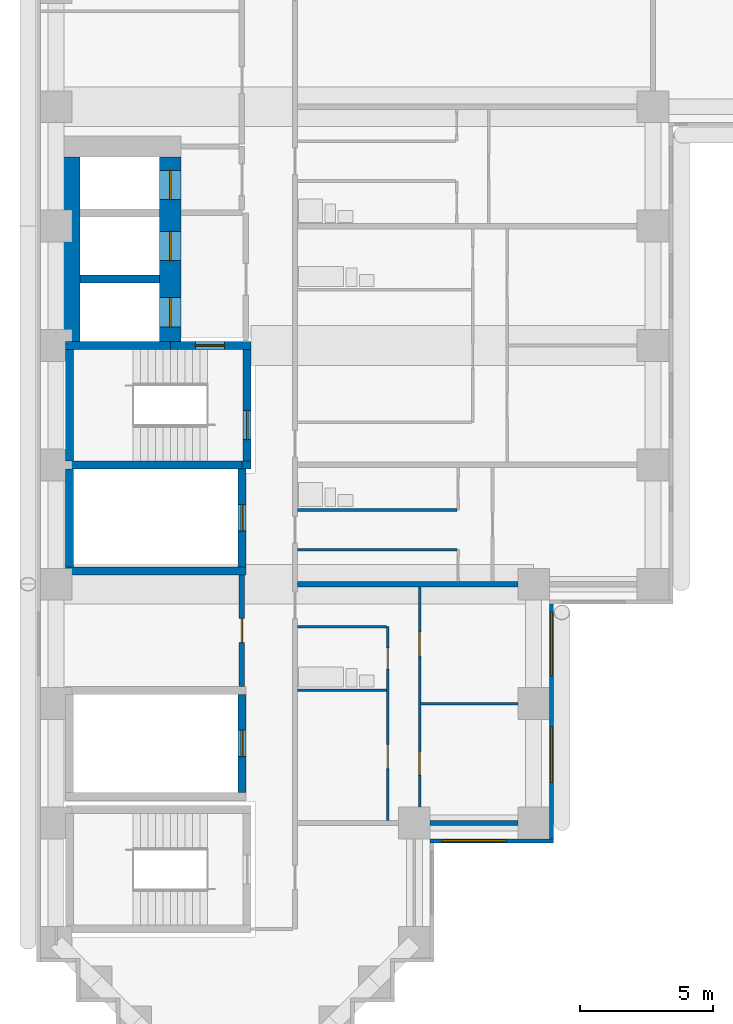
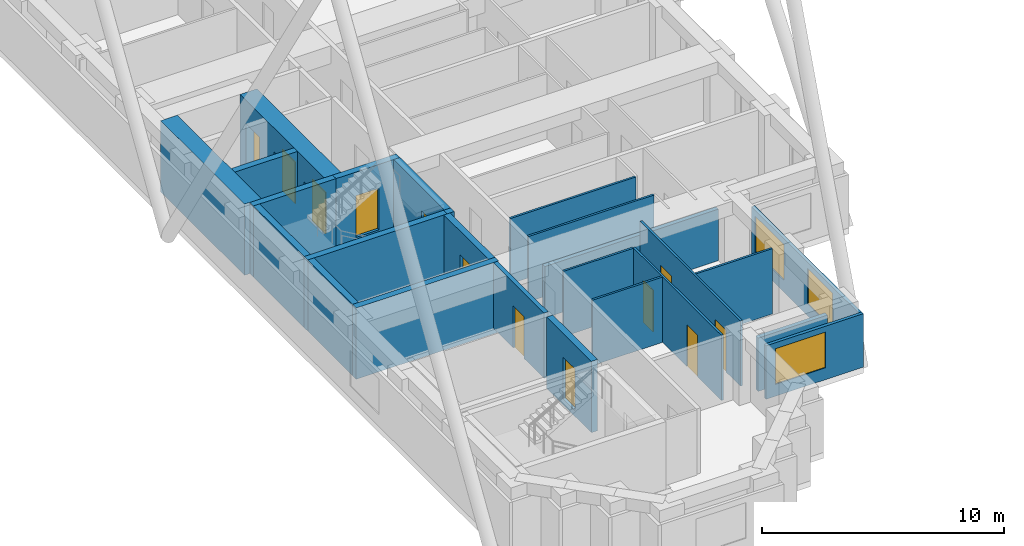
# One storey, part 3 of 13: 25 walls, 12 doors, 3 windows, 15 openings.
"""IFC4 building model written with IfcOpenShell, lengths in metres."""

import ifcopenshell
import ifcopenshell.guid

model = None  # the IFC model being written
_history = None  # IfcOwnerHistory: only IFC2X3 demands one
_inside = {}  # id of a spatial element -> (the spatial element, [elements in it])
_under = {}  # id of a project, library or spatial element -> (it, [spatial elements below it])
_declared = {}  # id of a project -> (the project, [libraries it declares])
_typed = {}  # id of a type object -> (the type object, [elements of that type])
_made_of = {}  # id of a material, layer set ... -> (it, [elements and type objects made of it])


def new_model(schema):
    """Start an empty IFC model of exactly this schema.

    Asked for "IFC4X3", IfcOpenShell would pick the latest addendum, in which some entities
    have other attributes; the version numbers below select the first issue.
    IFC2X3 requires an IfcOwnerHistory on every rooted entity: one is made here for all.
    """
    global model, _history
    if schema == "IFC4X3":
        model = ifcopenshell.file(schema_version=(4, 3, 0, 0))
    else:
        model = ifcopenshell.file(schema=schema)
    _inside.clear()
    _under.clear()
    _declared.clear()
    _typed.clear()
    _made_of.clear()
    _history = None
    if model.schema == "IFC2X3":
        org = make("IfcOrganization", Name="unknown")
        user = make(
            "IfcPersonAndOrganization",
            ThePerson=make("IfcPerson", FamilyName="unknown"),
            TheOrganization=org,
        )
        app = make(
            "IfcApplication",
            ApplicationDeveloper=org,
            Version="unknown",
            ApplicationFullName="unknown",
            ApplicationIdentifier="unknown",
        )
        _history = make(
            "IfcOwnerHistory",
            OwningUser=user,
            OwningApplication=app,
            ChangeAction="ADDED",
            CreationDate=0,
        )
    return model


def make(cls, **values):
    """One entity of the class cls with the attributes given. An attribute that is None is left unset."""
    return model.create_entity(
        cls, **{name: value for name, value in values.items() if value is not None}
    )


def rooted(cls, **values):
    """An entity with a GlobalId (a new one), such as an element, a storey or a relation."""
    return make(cls, GlobalId=ifcopenshell.guid.new(), OwnerHistory=_history, **values)


def si_unit(unit_type, name, prefix=None):
    """IfcSIUnit, for example si_unit("LENGTHUNIT", "METRE", prefix="MILLI")."""
    return make("IfcSIUnit", UnitType=unit_type, Prefix=prefix, Name=name)


def assignment(units):
    """IfcUnitAssignment: the units of a project."""
    return None if units is None else make("IfcUnitAssignment", Units=units)


def point(xyz):
    """IfcCartesianPoint."""
    return None if xyz is None else make("IfcCartesianPoint", Coordinates=xyz)


def direction(xyz):
    """IfcDirection."""
    return None if xyz is None else make("IfcDirection", DirectionRatios=xyz)


def frame(location, z_axis=None, x_axis=None):
    """IfcAxis2Placement3D, a coordinate frame: its origin and axes. An axis left out is left unset."""
    return make(
        "IfcAxis2Placement3D",
        Location=point(location),
        Axis=direction(z_axis),
        RefDirection=direction(x_axis),
    )


def frame_2d(location, x_axis=None):
    """IfcAxis2Placement2D, a coordinate frame in the plane: its origin and x axis."""
    return make(
        "IfcAxis2Placement2D", Location=point(location), RefDirection=direction(x_axis)
    )


def origin():
    """The frame at (0, 0, 0) with its axes left unset."""
    return frame((0.0, 0.0, 0.0))


def place(relative_to, where):
    """IfcLocalPlacement: puts the frame where relative to a parent placement (None: the world)."""
    return make(
        "IfcLocalPlacement", PlacementRelTo=relative_to, RelativePlacement=where
    )


def context(
    kind, dimensions, precision=None, world=None, true_north=None, identifier=None
):
    """IfcGeometricRepresentationContext, for example the 3D "Model" context."""
    return make(
        "IfcGeometricRepresentationContext",
        ContextIdentifier=identifier,
        ContextType=kind,
        CoordinateSpaceDimension=dimensions,
        Precision=precision,
        WorldCoordinateSystem=world,
        TrueNorth=true_north,
    )


def subcontext(parent, identifier, kind, view, scale=None):
    """IfcGeometricRepresentationSubContext, for example "Body" below "Model"."""
    return make(
        "IfcGeometricRepresentationSubContext",
        ContextIdentifier=identifier,
        ContextType=kind,
        ParentContext=parent,
        TargetScale=scale,
        TargetView=view,
    )


def project(units=None, contexts=None):
    """IfcProject with its units and contexts."""
    return rooted(
        "IfcProject",
        Name="project",
        RepresentationContexts=contexts,
        UnitsInContext=assignment(units),
    )


def spatial(cls, under=None, at=None, **own):
    """A site, building, storey or space (cls), placed at a placement, below another one or the project."""
    s = rooted(cls, ObjectPlacement=at, **own)
    if under is not None:
        _under.setdefault(under.id(), (under, []))[1].append(s)
    return s


def profile(cls, at=None, kind="AREA", **sizes):
    """A parametric profile (cls). Its sizes go by their IFC names, for example OverallWidth=200.0."""
    return make(cls, ProfileType=kind, Position=at, **sizes)


def rectangle(**sizes):
    """IfcRectangleProfileDef."""
    return profile("IfcRectangleProfileDef", **sizes)


def extrude(swept, where, along, depth):
    """IfcExtrudedAreaSolid: the profile swept, set in the frame where, extruded along a direction by depth."""
    return make(
        "IfcExtrudedAreaSolid",
        SweptArea=swept,
        Position=where,
        ExtrudedDirection=direction(along),
        Depth=depth,
    )


def shape(context_of_items, identifier, shape_type, items):
    """IfcShapeRepresentation: the items that make up one representation, for example the "Body"."""
    return make(
        "IfcShapeRepresentation",
        ContextOfItems=context_of_items,
        RepresentationIdentifier=identifier,
        RepresentationType=shape_type,
        Items=items,
    )


def material(Name=None, Category=None):
    """IfcMaterial."""
    return make("IfcMaterial", Name=Name, Category=Category)


def layer(
    of_material, thickness, ventilated=None, Name=None, Category=None, Priority=None
):
    """IfcMaterialLayer: one layer of a wall or slab, of a material (None: an air gap)."""
    return make(
        "IfcMaterialLayer",
        Material=of_material,
        LayerThickness=thickness,
        IsVentilated=ventilated,
        Name=Name,
        Category=Category,
        Priority=Priority,
    )


def layer_set(layers, Name=None):
    """IfcMaterialLayerSet."""
    return make("IfcMaterialLayerSet", MaterialLayers=layers, LayerSetName=Name)


def made_of(thing, what):
    """Note that an element or type object is made of a material, layer set ...; save() writes the relation."""
    if what is not None:
        _made_of.setdefault(what.id(), (what, []))[1].append(thing)
    return thing


def type_object(cls, material=None, **own):
    """A type object (cls), such as IfcWallType, which elements share."""
    return made_of(rooted(cls, **own), material)


def element(
    cls,
    number,
    at=None,
    inside=None,
    cuts=None,
    type_object=None,
    material=None,
    context=None,
    identifier="Body",
    shape_type=None,
    held_by="IfcProductDefinitionShape",
    body=None,
    shapes=None,
    **own,
):
    """One element of the class cls, such as IfcWall. Its Tag is "e" and its number.

    at: its placement. inside: the storey or other place that contains it. cuts: it is an
    opening in that element (IfcRelVoidsElement). A single representation is given by context,
    identifier, shape_type and body (its items); several are given by shapes. held_by: the class
    of the entity that holds the representations. save() writes the other relations.
    """
    e = rooted(cls, Tag="e%d" % number, ObjectPlacement=at, **own)
    if body is not None:
        shapes = [shape(context, identifier, shape_type, body)]
    if shapes is not None:
        e.Representation = make(held_by, Representations=shapes)
    if inside is not None:
        _inside.setdefault(inside.id(), (inside, []))[1].append(e)
    if cuts is not None:
        rooted(
            "IfcRelVoidsElement", RelatingBuildingElement=cuts, RelatedOpeningElement=e
        )
    if type_object is not None:
        _typed.setdefault(type_object.id(), (type_object, []))[1].append(e)
    return made_of(e, material)


def fill(opening, filler):
    """IfcRelFillsElement: the door or window that sits in an opening."""
    return rooted(
        "IfcRelFillsElement",
        RelatingOpeningElement=opening,
        RelatedBuildingElement=filler,
    )


def aggregate(whole, parts):
    """IfcRelAggregates: a whole, such as a stair, and the parts it consists of."""
    return rooted("IfcRelAggregates", RelatingObject=whole, RelatedObjects=parts)


def save(model, path):
    """Write the relations noted so far, then the file.

    IfcRelAggregates (storeys below a building ...), IfcRelContainedInSpatialStructure (elements
    in a storey), IfcRelDefinesByType, IfcRelAssociatesMaterial and IfcRelDeclares: one each for
    every whole, place, type object, material and project.
    """
    for whole, parts in _under.values():
        aggregate(whole, parts)
    for where, things in _inside.values():
        rooted(
            "IfcRelContainedInSpatialStructure",
            RelatedElements=things,
            RelatingStructure=where,
        )
    for kind, things in _typed.values():
        rooted("IfcRelDefinesByType", RelatedObjects=things, RelatingType=kind)
    for what, things in _made_of.values():
        rooted("IfcRelAssociatesMaterial", RelatedObjects=things, RelatingMaterial=what)
    for by, libraries in _declared.values():
        rooted("IfcRelDeclares", RelatingContext=by, RelatedDefinitions=libraries)
    model.write(path)


model = new_model("IFC4")

# Units and contexts
model_context = context("Model", 3, precision=1e-05, world=origin(), true_north=direction((0.0, 1.0)))
body_context = subcontext(model_context, "Body", "Model", "MODEL_VIEW")
ifc_project = project(units=[si_unit("LENGTHUNIT", "METRE"), si_unit("AREAUNIT", "SQUARE_METRE"), si_unit("VOLUMEUNIT", "CUBIC_METRE"), si_unit("PLANEANGLEUNIT", "RADIAN"), si_unit("MASSUNIT", "GRAM", prefix="KILO")], contexts=[model_context])

# Site, building, storey
site_placement = place(None, origin())
site = spatial("IfcSite", under=ifc_project, at=site_placement, CompositionType="ELEMENT")
building_placement = place(site_placement, origin())
building = spatial("IfcBuilding", under=site, at=building_placement, Name="Firuza Court", CompositionType="ELEMENT")
storey_placement = place(building_placement, frame((0.0, 0.0, 50.60009765625)))
storey = spatial("IfcBuildingStorey", under=building, at=storey_placement, Name="L11", CompositionType="ELEMENT", Elevation=50.60009765625)

# Walls
ifc_material_1 = material(Name="Moisture-resistant gypsum board partition")
ifc_layer_1 = layer(ifc_material_1, 0.10009765625)
ifc_layer_set_1 = layer_set([ifc_layer_1], Name="Moisture-resistant gypsum board partition")
wall_type_1 = type_object("IfcWallType", Name="Bathroom partition 100", PredefinedType="PLUMBINGWALL", material=ifc_layer_set_1)
for number, where, z_axis, x_axis, name in (
    (1, (9.10009765625, 14.0, 0.0), (0.0, 0.0, 1.0), (1.0, 0.0, 0.0), "Bathroom partition 100 L11"),
    (2, (9.10009765625, 16.39990234375, 0.0), (0.0, 0.0, 1.0), (1.0, 0.0, 0.0), "Bathroom partition 100 L11"),
):
    element("IfcWall", number, at=place(storey_placement, frame(where, z_axis=z_axis, x_axis=x_axis)), inside=storey, type_object=wall_type_1, Name=name, PredefinedType="PLUMBINGWALL", context=body_context, shape_type="SweptSolid", body=[
        extrude(rectangle(XDim=3.349853515625, YDim=0.10009765625, at=frame_2d((1.6748046875, 0.0))), origin(), (0.0, 0.0, 1.0), 3.2998046875),
    ])
wall_1_placement = place(storey_placement, frame((9.10009765625, 20.800048828125, 0.0), z_axis=(0.0, 0.0, 1.0), x_axis=(1.0, 0.0, 0.0)))
element("IfcWall", 3, at=wall_1_placement, inside=storey, type_object=wall_type_1, Name="Bathroom partition 100 L11", PredefinedType="PLUMBINGWALL", context=body_context, shape_type="SweptSolid", body=[
    extrude(rectangle(XDim=6.0, YDim=0.10009765625, at=frame_2d((3.0, 0.0))), origin(), (0.0, 0.0, 1.0), 3.2998046875),
])
ifc_material_2 = material(Name="Concrete C60/75", Category="concrete")
ifc_layer_2 = layer(ifc_material_2, 0.300048828125)
ifc_layer_set_2 = layer_set([ifc_layer_2], Name="Concrete C60/75")
wall_type_2 = type_object("IfcWallType", Name="Core wall 300 C60/75", PredefinedType="SHEAR", material=ifc_layer_set_2)
wall_2_placement = place(storey_placement, frame((0.35009765625, 18.5, -0.300048828125), z_axis=(0.0, 0.0, 1.0), x_axis=(1.0, 0.0, 0.0)))
element("IfcWall", 4, at=wall_2_placement, inside=storey, type_object=wall_type_2, Name="Core wall riser L11", PredefinedType="SHEAR", context=body_context, shape_type="SweptSolid", body=[
    extrude(rectangle(XDim=6.7998046875, YDim=0.300048828125, at=frame_2d((3.39990234375, 0.0))), origin(), (0.0, 0.0, 1.0), 3.599853515625),
])
wall_3_placement = place(storey_placement, frame((0.35009765625, 22.5, -0.300048828125), z_axis=(0.0, 0.0, 1.0), x_axis=(1.0, 0.0, 0.0)))
element("IfcWall", 5, at=wall_3_placement, inside=storey, type_object=wall_type_2, Name="Core wall riser L11", PredefinedType="SHEAR", context=body_context, shape_type="SweptSolid", body=[
    extrude(rectangle(XDim=6.64990234375, YDim=0.300048828125, at=frame_2d((3.324951171875, 0.0))), origin(), (0.0, 0.0, 1.0), 3.599853515625),
])
wall_4_placement = place(storey_placement, frame((0.35009765625, 27.0, -0.300048828125), z_axis=(0.0, 0.0, 1.0), x_axis=(1.0, 0.0, 0.0)))
element("IfcWall", 6, at=wall_4_placement, inside=storey, type_object=wall_type_2, Name="Core wall lift shaft L11", PredefinedType="SHEAR", context=body_context, shape_type="SweptSolid", body=[
    extrude(rectangle(XDim=3.949951171875, YDim=0.300048828125, at=frame_2d((1.97509765625, 0.0))), origin(), (0.0, 0.0, 1.0), 3.599853515625),
])
wall_5_placement = place(storey_placement, frame((0.5, 18.64990234375, -0.300048828125), z_axis=(0.0, 0.0, 1.0), x_axis=(0.0, 1.0, 0.0)))
element("IfcWall", 7, at=wall_5_placement, inside=storey, type_object=wall_type_2, Name="Core wall riser L11", PredefinedType="SHEAR", context=body_context, shape_type="SweptSolid", body=[
    extrude(rectangle(XDim=3.7001953125, YDim=0.300048828125, at=frame_2d((1.85009765625, 0.0))), origin(), (0.0, 0.0, 1.0), 3.599853515625),
])
wall_6_placement = place(storey_placement, frame((0.5, 22.64990234375, -0.300048828125), z_axis=(0.0, 0.0, 1.0), x_axis=(0.0, 1.0, 0.0)))
element("IfcWall", 8, at=wall_6_placement, inside=storey, type_object=wall_type_2, Name="Core wall stair L11", PredefinedType="SHEAR", context=body_context, shape_type="SweptSolid", body=[
    extrude(rectangle(XDim=4.2001953125, YDim=0.300048828125, at=frame_2d((2.10009765625, 0.0))), origin(), (0.0, 0.0, 1.0), 3.599853515625),
])
wall_7_placement = place(storey_placement, frame((0.89990234375, 29.5, -0.300048828125), z_axis=(0.0, 0.0, 1.0), x_axis=(1.0, 0.0, 0.0)))
element("IfcWall", 9, at=wall_7_placement, inside=storey, type_object=wall_type_2, Name="Core wall lift shaft L11", PredefinedType="SHEAR", context=body_context, shape_type="SweptSolid", body=[
    extrude(rectangle(XDim=3.0, YDim=0.300048828125, at=frame_2d((1.5, 0.0))), origin(), (0.0, 0.0, 1.0), 3.599853515625),
])

# Wall, opening, door
wall_8_placement = place(storey_placement, frame((4.300048828125, 27.0, -0.300048828125), z_axis=(0.0, 0.0, 1.0), x_axis=(1.0, 0.0, 0.0)))
wall_8 = element("IfcWall", 10, at=wall_8_placement, inside=storey, type_object=wall_type_2, Name="Core wall stair L11", PredefinedType="SHEAR", context=body_context, shape_type="SweptSolid", body=[
    extrude(rectangle(XDim=3.050048828125, YDim=0.300048828125, at=frame_2d((1.52490234375, 0.0))), origin(), (0.0, 0.0, 1.0), 3.599853515625),
])
opening_1_placement = place(wall_8_placement, frame((0.949951171875, 0.0, 0.300048828125)))
opening_1 = element("IfcOpeningElement", 11, at=opening_1_placement, cuts=wall_8, Name="Opening D11014", PredefinedType="OPENING", context=body_context, shape_type="SweptSolid", body=[
    extrude(rectangle(XDim=1.10009765625, YDim=2.10009765625, at=frame_2d((0.550048828125, 1.050048828125))), frame((0.0, 0.162109375, 0.0), z_axis=(0.0, -1.0, 0.0), x_axis=(1.0, 0.0, 0.0)), (0.0, 0.0, 1.0), 0.323974609375),
])
ifc_material_3 = material(Name="Timber door leaf in hardwood frame", Category="wood")
door_type_1 = type_object("IfcDoorType", Name="Stair door 1100", OperationType="SINGLE_SWING_LEFT", PredefinedType="DOOR", material=ifc_material_3)
door_1_placement = place(opening_1_placement, frame((1.10009765625, 0.0, 0.0), z_axis=(0.0, 0.0, 1.0), x_axis=(-1.0, 0.0, 0.0)))
door_1 = element("IfcDoor", 12, at=door_1_placement, inside=storey, type_object=door_type_1, Name="Fire-fighting lobby door", OperationType="SINGLE_SWING_LEFT", OverallHeight=2.10009765625, OverallWidth=1.10009765625, PredefinedType="DOOR", context=body_context, shape_type="SweptSolid", body=[
    extrude(rectangle(XDim=1.10009765625, YDim=2.10009765625, at=frame_2d((0.550048828125, 1.050048828125))), frame((0.0, 0.02490234375, 0.0), z_axis=(0.0, -1.0, 0.0), x_axis=(1.0, 0.0, 0.0)), (0.0, 0.0, 1.0), 0.050048828125),
])
fill(opening_1, door_1)

wall_9_placement = place(storey_placement, frame((7.0, 10.14990234375, -0.300048828125), z_axis=(0.0, 0.0, 1.0), x_axis=(0.0, 1.0, 0.0)))
wall_9 = element("IfcWall", 13, at=wall_9_placement, inside=storey, type_object=wall_type_2, Name="Core wall riser L11", PredefinedType="SHEAR", context=body_context, shape_type="SweptSolid", body=[
    extrude(rectangle(XDim=3.7001953125, YDim=0.300048828125, at=frame_2d((1.85009765625, 0.0))), origin(), (0.0, 0.0, 1.0), 3.599853515625),
])
opening_2_placement = place(wall_9_placement, frame((1.35009765625, 0.0, 0.300048828125)))
opening_2 = element("IfcOpeningElement", 14, at=opening_2_placement, cuts=wall_9, Name="Opening D11012", PredefinedType="OPENING", context=body_context, shape_type="SweptSolid", body=[
    extrude(rectangle(XDim=1.0, YDim=2.10009765625, at=frame_2d((0.5, 1.050048828125))), frame((0.0, 0.162109375, 0.0), z_axis=(0.0, -1.0, 0.0), x_axis=(1.0, 0.0, 0.0)), (0.0, 0.0, 1.0), 0.323974609375),
])
ifc_material_4 = material(Name="Timber door leaf in hardwood frame", Category="wood")
door_type_2 = type_object("IfcDoorType", Name="Riser door 1000", OperationType="SINGLE_SWING_LEFT", PredefinedType="DOOR", material=ifc_material_4)
door_2_placement = place(opening_2_placement, origin())
door_2 = element("IfcDoor", 15, at=door_2_placement, inside=storey, type_object=door_type_2, Name="Riser door R4", OperationType="SINGLE_SWING_LEFT", OverallHeight=2.10009765625, OverallWidth=1.0, PredefinedType="DOOR", context=body_context, shape_type="SweptSolid", body=[
    extrude(rectangle(XDim=1.0, YDim=2.10009765625, at=frame_2d((0.5, 1.050048828125))), frame((0.0, 0.02490234375, 0.0), z_axis=(0.0, -1.0, 0.0), x_axis=(1.0, 0.0, 0.0)), (0.0, 0.0, 1.0), 0.050048828125),
])
fill(opening_2, door_2)

wall_10_placement = place(storey_placement, frame((7.0, 18.64990234375, -0.300048828125), z_axis=(0.0, 0.0, 1.0), x_axis=(0.0, 1.0, 0.0)))
wall_10 = element("IfcWall", 16, at=wall_10_placement, inside=storey, type_object=wall_type_2, Name="Core wall riser L11", PredefinedType="SHEAR", context=body_context, shape_type="SweptSolid", body=[
    extrude(rectangle(XDim=3.7001953125, YDim=0.300048828125, at=frame_2d((1.85009765625, 0.0))), origin(), (0.0, 0.0, 1.0), 3.599853515625),
])
opening_3_placement = place(wall_10_placement, frame((1.35009765625, 0.0, 0.300048828125)))
opening_3 = element("IfcOpeningElement", 17, at=opening_3_placement, cuts=wall_10, Name="Opening D11010", PredefinedType="OPENING", context=body_context, shape_type="SweptSolid", body=[
    extrude(rectangle(XDim=1.0, YDim=2.10009765625, at=frame_2d((0.5, 1.050048828125))), frame((0.0, 0.162109375, 0.0), z_axis=(0.0, -1.0, 0.0), x_axis=(1.0, 0.0, 0.0)), (0.0, 0.0, 1.0), 0.323974609375),
])
door_3_placement = place(opening_3_placement, origin())
door_3 = element("IfcDoor", 18, at=door_3_placement, inside=storey, type_object=door_type_2, Name="Riser door R1", OperationType="SINGLE_SWING_LEFT", OverallHeight=2.10009765625, OverallWidth=1.0, PredefinedType="DOOR", context=body_context, shape_type="SweptSolid", body=[
    extrude(rectangle(XDim=1.0, YDim=2.10009765625, at=frame_2d((0.5, 1.050048828125))), frame((0.0, 0.02490234375, 0.0), z_axis=(0.0, -1.0, 0.0), x_axis=(1.0, 0.0, 0.0)), (0.0, 0.0, 1.0), 0.050048828125),
])
fill(opening_3, door_3)

# Wall
wall_11_placement = place(storey_placement, frame((7.0, 22.5, -0.300048828125), z_axis=(0.0, 0.0, 1.0), x_axis=(1.0, 0.0, 0.0)))
element("IfcWall", 19, at=wall_11_placement, inside=storey, type_object=wall_type_2, Name="Core wall stair L11", PredefinedType="SHEAR", context=body_context, shape_type="SweptSolid", body=[
    extrude(rectangle(XDim=0.35009765625, YDim=0.300048828125, at=frame_2d((0.175048828125, 0.0))), origin(), (0.0, 0.0, 1.0), 3.599853515625),
])

# Wall, opening, door
wall_12_placement = place(storey_placement, frame((7.199951171875, 22.64990234375, -0.300048828125), z_axis=(0.0, 0.0, 1.0), x_axis=(0.0, 1.0, 0.0)))
wall_12 = element("IfcWall", 20, at=wall_12_placement, inside=storey, type_object=wall_type_2, Name="Core wall stair L11", PredefinedType="SHEAR", context=body_context, shape_type="SweptSolid", body=[
    extrude(rectangle(XDim=4.2001953125, YDim=0.300048828125, at=frame_2d((2.10009765625, 0.0))), origin(), (0.0, 0.0, 1.0), 3.599853515625),
])
opening_4_placement = place(wall_12_placement, frame((0.800048828125, 0.0, 0.300048828125)))
opening_4 = element("IfcOpeningElement", 21, at=opening_4_placement, cuts=wall_12, Name="Opening D11015", PredefinedType="OPENING", context=body_context, shape_type="SweptSolid", body=[
    extrude(rectangle(XDim=1.10009765625, YDim=2.10009765625, at=frame_2d((0.550048828125, 1.050048828125))), frame((0.0, 0.162109375, 0.0), z_axis=(0.0, -1.0, 0.0), x_axis=(1.0, 0.0, 0.0)), (0.0, 0.0, 1.0), 0.323974609375),
])
door_4_placement = place(opening_4_placement, origin())
door_4 = element("IfcDoor", 22, at=door_4_placement, inside=storey, type_object=door_type_1, Name="Stair door S2", OperationType="SINGLE_SWING_LEFT", OverallHeight=2.10009765625, OverallWidth=1.10009765625, PredefinedType="DOOR", context=body_context, shape_type="SweptSolid", body=[
    extrude(rectangle(XDim=1.10009765625, YDim=2.10009765625, at=frame_2d((0.550048828125, 1.050048828125))), frame((0.0, 0.02490234375, 0.0), z_axis=(0.0, -1.0, 0.0), x_axis=(1.0, 0.0, 0.0)), (0.0, 0.0, 1.0), 0.050048828125),
])
fill(opening_4, door_4)

# Wall
ifc_layer_3 = layer(ifc_material_2, 0.800048828125)
ifc_layer_set_3 = layer_set([ifc_layer_3], Name="Concrete C60/75")
wall_type_3 = type_object("IfcWallType", Name="Core wall 800 C60/75", PredefinedType="SHEAR", material=ifc_layer_set_3)
wall_13_placement = place(storey_placement, frame((0.5, 27.14990234375, -0.300048828125), z_axis=(0.0, 0.0, 1.0), x_axis=(0.0, 1.0, 0.0)))
element("IfcWall", 23, at=wall_13_placement, inside=storey, type_object=wall_type_3, Name="Core wall lift shaft L11", PredefinedType="SHEAR", context=body_context, shape_type="SweptSolid", body=[
    extrude(rectangle(XDim=6.9501953125, YDim=0.800048828125, at=frame_2d((3.47509765625, 0.0))), origin(), (0.0, 0.0, 1.0), 3.599853515625),
])

# Wall, openings, doors
wall_14_placement = place(storey_placement, frame((4.300048828125, 27.14990234375, -0.300048828125), z_axis=(0.0, 0.0, 1.0), x_axis=(0.0, 1.0, 0.0)))
wall_14 = element("IfcWall", 24, at=wall_14_placement, inside=storey, type_object=wall_type_3, Name="Core wall lift shaft L11", PredefinedType="SHEAR", context=body_context, shape_type="SweptSolid", body=[
    extrude(rectangle(XDim=6.9501953125, YDim=0.800048828125, at=frame_2d((3.47509765625, 0.0))), origin(), (0.0, 0.0, 1.0), 3.599853515625),
])
opening_5_placement = place(wall_14_placement, frame((3.050048828125, 0.0, 0.300048828125)))
opening_5 = element("IfcOpeningElement", 25, at=opening_5_placement, cuts=wall_14, Name="Opening LD-FL1-11", PredefinedType="OPENING", context=body_context, shape_type="SweptSolid", body=[
    extrude(rectangle(XDim=1.10009765625, YDim=2.10009765625, at=frame_2d((0.550048828125, 1.050048828125))), frame((0.0, 0.412109375, 0.0), z_axis=(0.0, -1.0, 0.0), x_axis=(1.0, 0.0, 0.0)), (0.0, 0.0, 1.0), 0.823974609375),
])
opening_6_placement = place(wall_14_placement, frame((0.550048828125, 0.0, 0.300048828125)))
opening_6 = element("IfcOpeningElement", 26, at=opening_6_placement, cuts=wall_14, Name="Opening LD-FL2-11", PredefinedType="OPENING", context=body_context, shape_type="SweptSolid", body=[
    extrude(rectangle(XDim=1.10009765625, YDim=2.10009765625, at=frame_2d((0.550048828125, 1.050048828125))), frame((0.0, 0.412109375, 0.0), z_axis=(0.0, -1.0, 0.0), x_axis=(1.0, 0.0, 0.0)), (0.0, 0.0, 1.0), 0.823974609375),
])
opening_7_placement = place(wall_14_placement, frame((5.35009765625, 0.0, 0.300048828125)))
opening_7 = element("IfcOpeningElement", 27, at=opening_7_placement, cuts=wall_14, Name="Opening LD-SL1-11", PredefinedType="OPENING", context=body_context, shape_type="SweptSolid", body=[
    extrude(rectangle(XDim=1.10009765625, YDim=2.10009765625, at=frame_2d((0.550048828125, 1.050048828125))), frame((0.0, 0.412109375, 0.0), z_axis=(0.0, -1.0, 0.0), x_axis=(1.0, 0.0, 0.0)), (0.0, 0.0, 1.0), 0.823974609375),
])
ifc_material_5 = material(Name="Stainless steel 1.4301 door leaf", Category="steel")
door_type_3 = type_object("IfcDoorType", Name="Lift landing door 1100", OperationType="SLIDING_TO_LEFT", PredefinedType="DOOR", material=ifc_material_5)
door_5_placement = place(opening_5_placement, origin())
door_5 = element("IfcDoor", 28, at=door_5_placement, inside=storey, type_object=door_type_3, Name="Landing door FL1", OperationType="SLIDING_TO_LEFT", OverallHeight=2.10009765625, OverallWidth=1.10009765625, PredefinedType="DOOR", context=body_context, shape_type="SweptSolid", body=[
    extrude(rectangle(XDim=1.10009765625, YDim=2.10009765625, at=frame_2d((0.550048828125, 1.050048828125))), frame((0.0, 0.02490234375, 0.0), z_axis=(0.0, -1.0, 0.0), x_axis=(1.0, 0.0, 0.0)), (0.0, 0.0, 1.0), 0.050048828125),
])
fill(opening_5, door_5)
door_6_placement = place(opening_6_placement, origin())
door_6 = element("IfcDoor", 29, at=door_6_placement, inside=storey, type_object=door_type_3, Name="Landing door FL2", OperationType="SLIDING_TO_LEFT", OverallHeight=2.10009765625, OverallWidth=1.10009765625, PredefinedType="DOOR", context=body_context, shape_type="SweptSolid", body=[
    extrude(rectangle(XDim=1.10009765625, YDim=2.10009765625, at=frame_2d((0.550048828125, 1.050048828125))), frame((0.0, 0.02490234375, 0.0), z_axis=(0.0, -1.0, 0.0), x_axis=(1.0, 0.0, 0.0)), (0.0, 0.0, 1.0), 0.050048828125),
])
fill(opening_6, door_6)
door_7_placement = place(opening_7_placement, origin())
door_7 = element("IfcDoor", 30, at=door_7_placement, inside=storey, type_object=door_type_3, Name="Landing door SL1", OperationType="SLIDING_TO_LEFT", OverallHeight=2.10009765625, OverallWidth=1.10009765625, PredefinedType="DOOR", context=body_context, shape_type="SweptSolid", body=[
    extrude(rectangle(XDim=1.10009765625, YDim=2.10009765625, at=frame_2d((0.550048828125, 1.050048828125))), frame((0.0, 0.02490234375, 0.0), z_axis=(0.0, -1.0, 0.0), x_axis=(1.0, 0.0, 0.0)), (0.0, 0.0, 1.0), 0.050048828125),
])
fill(opening_7, door_7)

# Wall, opening, door
ifc_material_6 = material(Name="Blockwork, plastered both sides", Category="masonry")
ifc_layer_4 = layer(ifc_material_6, 0.199951171875)
ifc_layer_set_4 = layer_set([ifc_layer_4], Name="Blockwork, plastered both sides")
wall_type_4 = type_object("IfcWallType", Name="Corridor wall 200", PredefinedType="PARTITIONING", material=ifc_layer_set_4)
wall_15_placement = place(storey_placement, frame((7.0, 14.14990234375, 0.0), z_axis=(0.0, 0.0, 1.0), x_axis=(0.0, 1.0, 0.0)))
wall_15 = element("IfcWall", 31, at=wall_15_placement, inside=storey, type_object=wall_type_4, Name="Corridor wall 200 L11", PredefinedType="PARTITIONING", context=body_context, shape_type="SweptSolid", body=[
    extrude(rectangle(XDim=4.2001953125, YDim=0.199951171875, at=frame_2d((2.10009765625, 0.0))), origin(), (0.0, 0.0, 1.0), 3.2998046875),
])
opening_8_placement = place(wall_15_placement, frame((1.64990234375, 0.0, 0.0)))
opening_8 = element("IfcOpeningElement", 32, at=opening_8_placement, cuts=wall_15, Name="Opening D11029", PredefinedType="OPENING", context=body_context, shape_type="SweptSolid", body=[
    extrude(rectangle(XDim=0.89990234375, YDim=2.10009765625, at=frame_2d((0.449951171875, 1.050048828125))), frame((0.0, 0.11181640625, 0.0), z_axis=(0.0, -1.0, 0.0), x_axis=(1.0, 0.0, 0.0)), (0.0, 0.0, 1.0), 0.223876953125),
])
ifc_material_7 = material(Name="Timber door leaf in hardwood frame", Category="wood")
door_type_4 = type_object("IfcDoorType", Name="Room door 900 EI 30", OperationType="SINGLE_SWING_LEFT", PredefinedType="DOOR", material=ifc_material_7)
door_8_placement = place(opening_8_placement, origin())
door_8 = element("IfcDoor", 33, at=door_8_placement, inside=storey, type_object=door_type_4, Name="Meeting room door", OperationType="SINGLE_SWING_LEFT", OverallHeight=2.10009765625, OverallWidth=0.89990234375, PredefinedType="DOOR", context=body_context, shape_type="SweptSolid", body=[
    extrude(rectangle(XDim=0.89990234375, YDim=2.10009765625, at=frame_2d((0.449951171875, 1.050048828125))), frame((0.0, 0.02490234375, 0.0), z_axis=(0.0, -1.0, 0.0), x_axis=(1.0, 0.0, 0.0)), (0.0, 0.0, 1.0), 0.050048828125),
])
fill(opening_8, door_8)

# Wall, openings, doors
ifc_material_8 = material(Name="Timber stud partition, plasterboard both sides", Category="wood")
ifc_layer_5 = layer(ifc_material_8, 0.10009765625)
ifc_layer_set_5 = layer_set([ifc_layer_5], Name="Timber stud partition, plasterboard both sides")
wall_type_5 = type_object("IfcWallType", Name="Partition wall 100", PredefinedType="PARTITIONING", material=ifc_layer_set_5)
wall_16_placement = place(storey_placement, frame((12.5, 9.10009765625, 0.0), z_axis=(0.0, 0.0, 1.0), x_axis=(0.0, 1.0, 0.0)))
wall_16 = element("IfcWall", 34, at=wall_16_placement, inside=storey, type_object=wall_type_5, Name="Partition wall 100 L11", PredefinedType="PARTITIONING", context=body_context, shape_type="SweptSolid", body=[
    extrude(rectangle(XDim=7.2998046875, YDim=0.10009765625, at=frame_2d((3.64990234375, 0.0))), origin(), (0.0, 0.0, 1.0), 3.2998046875),
])
opening_9_placement = place(wall_16_placement, frame((5.699951171875, 0.0, 0.0)))
opening_9 = element("IfcOpeningElement", 35, at=opening_9_placement, cuts=wall_16, Name="Opening D11025", PredefinedType="OPENING", context=body_context, shape_type="SweptSolid", body=[
    extrude(rectangle(XDim=0.800048828125, YDim=2.10009765625, at=frame_2d((0.39990234375, 1.050048828125))), frame((0.0, 0.06201171875, 0.0), z_axis=(0.0, -1.0, 0.0), x_axis=(1.0, 0.0, 0.0)), (0.0, 0.0, 1.0), 0.1240234375),
])
opening_10_placement = place(wall_16_placement, frame((1.949951171875, 0.0, 0.0)))
opening_10 = element("IfcOpeningElement", 36, at=opening_10_placement, cuts=wall_16, Name="Opening D11026", PredefinedType="OPENING", context=body_context, shape_type="SweptSolid", body=[
    extrude(rectangle(XDim=0.89990234375, YDim=2.10009765625, at=frame_2d((0.449951171875, 1.050048828125))), frame((0.0, 0.06201171875, 0.0), z_axis=(0.0, -1.0, 0.0), x_axis=(1.0, 0.0, 0.0)), (0.0, 0.0, 1.0), 0.1240234375),
])
ifc_material_9 = material(Name="Timber door leaf in hardwood frame", Category="wood")
door_type_5 = type_object("IfcDoorType", Name="Bathroom door 800", OperationType="SINGLE_SWING_LEFT", PredefinedType="DOOR", material=ifc_material_9)
door_9_placement = place(opening_9_placement, origin())
door_9 = element("IfcDoor", 37, at=door_9_placement, inside=storey, type_object=door_type_5, Name="Bathroom door", OperationType="SINGLE_SWING_LEFT", OverallHeight=2.10009765625, OverallWidth=0.800048828125, PredefinedType="DOOR", context=body_context, shape_type="SweptSolid", body=[
    extrude(rectangle(XDim=0.800048828125, YDim=2.10009765625, at=frame_2d((0.39990234375, 1.050048828125))), frame((0.0, 0.02490234375, 0.0), z_axis=(0.0, -1.0, 0.0), x_axis=(1.0, 0.0, 0.0)), (0.0, 0.0, 1.0), 0.050048828125),
])
fill(opening_9, door_9)
ifc_material_10 = material(Name="Timber door leaf in hardwood frame", Category="wood")
door_type_6 = type_object("IfcDoorType", Name="Room door 900", OperationType="SINGLE_SWING_LEFT", PredefinedType="DOOR", material=ifc_material_10)
door_10_placement = place(opening_10_placement, origin())
door_10 = element("IfcDoor", 38, at=door_10_placement, inside=storey, type_object=door_type_6, Name="Kitchen door", OperationType="SINGLE_SWING_LEFT", OverallHeight=2.10009765625, OverallWidth=0.89990234375, PredefinedType="DOOR", context=body_context, shape_type="SweptSolid", body=[
    extrude(rectangle(XDim=0.89990234375, YDim=2.10009765625, at=frame_2d((0.449951171875, 1.050048828125))), frame((0.0, 0.02490234375, 0.0), z_axis=(0.0, -1.0, 0.0), x_axis=(1.0, 0.0, 0.0)), (0.0, 0.0, 1.0), 0.050048828125),
])
fill(opening_10, door_10)

wall_17_placement = place(storey_placement, frame((13.699951171875, 9.60009765625, 0.0), z_axis=(0.0, 0.0, 1.0), x_axis=(0.0, 1.0, 0.0)))
wall_17 = element("IfcWall", 39, at=wall_17_placement, inside=storey, type_object=wall_type_5, Name="Partition wall 100 L11", PredefinedType="PARTITIONING", context=body_context, shape_type="SweptSolid", body=[
    extrude(rectangle(XDim=8.2998046875, YDim=0.10009765625, at=frame_2d((4.14990234375, 0.0))), origin(), (0.0, 0.0, 1.0), 3.2998046875),
])
opening_11_placement = place(wall_17_placement, frame((1.199951171875, 0.0, 0.0)))
opening_11 = element("IfcOpeningElement", 40, at=opening_11_placement, cuts=wall_17, Name="Opening D11027", PredefinedType="OPENING", context=body_context, shape_type="SweptSolid", body=[
    extrude(rectangle(XDim=0.89990234375, YDim=2.10009765625, at=frame_2d((0.449951171875, 1.050048828125))), frame((0.0, 0.06201171875, 0.0), z_axis=(0.0, -1.0, 0.0), x_axis=(1.0, 0.0, 0.0)), (0.0, 0.0, 1.0), 0.1240234375),
])
opening_12_placement = place(wall_17_placement, frame((5.699951171875, 0.0, 0.0)))
opening_12 = element("IfcOpeningElement", 41, at=opening_12_placement, cuts=wall_17, Name="Opening D11028", PredefinedType="OPENING", context=body_context, shape_type="SweptSolid", body=[
    extrude(rectangle(XDim=0.89990234375, YDim=2.10009765625, at=frame_2d((0.449951171875, 1.050048828125))), frame((0.0, 0.06201171875, 0.0), z_axis=(0.0, -1.0, 0.0), x_axis=(1.0, 0.0, 0.0)), (0.0, 0.0, 1.0), 0.1240234375),
])
door_11_placement = place(opening_11_placement, frame((0.89990234375, 0.0, 0.0), z_axis=(0.0, 0.0, 1.0), x_axis=(-1.0, 0.0, 0.0)))
door_11 = element("IfcDoor", 42, at=door_11_placement, inside=storey, type_object=door_type_6, Name="Bedroom door", OperationType="SINGLE_SWING_RIGHT", OverallHeight=2.10009765625, OverallWidth=0.89990234375, PredefinedType="DOOR", context=body_context, shape_type="SweptSolid", body=[
    extrude(rectangle(XDim=0.89990234375, YDim=2.10009765625, at=frame_2d((0.449951171875, 1.050048828125))), frame((0.0, 0.02490234375, 0.0), z_axis=(0.0, -1.0, 0.0), x_axis=(1.0, 0.0, 0.0)), (0.0, 0.0, 1.0), 0.050048828125),
])
fill(opening_11, door_11)
door_12_placement = place(opening_12_placement, frame((0.89990234375, 0.0, 0.0), z_axis=(0.0, 0.0, 1.0), x_axis=(-1.0, 0.0, 0.0)))
door_12 = element("IfcDoor", 43, at=door_12_placement, inside=storey, type_object=door_type_6, Name="Living room door", OperationType="SINGLE_SWING_RIGHT", OverallHeight=2.10009765625, OverallWidth=0.89990234375, PredefinedType="DOOR", context=body_context, shape_type="SweptSolid", body=[
    extrude(rectangle(XDim=0.89990234375, YDim=2.10009765625, at=frame_2d((0.449951171875, 1.050048828125))), frame((0.0, 0.02490234375, 0.0), z_axis=(0.0, -1.0, 0.0), x_axis=(1.0, 0.0, 0.0)), (0.0, 0.0, 1.0), 0.050048828125),
])
fill(opening_12, door_12)

# Walls
wall_18_placement = place(storey_placement, frame((13.75, 13.5, 0.0), z_axis=(0.0, 0.0, 1.0), x_axis=(1.0, 0.0, 0.0)))
element("IfcWall", 44, at=wall_18_placement, inside=storey, type_object=wall_type_5, Name="Partition wall 100 L11", PredefinedType="PARTITIONING", context=body_context, shape_type="SweptSolid", body=[
    extrude(rectangle(XDim=3.64990234375, YDim=0.10009765625, at=frame_2d((1.824951171875, 0.0))), origin(), (0.0, 0.0, 1.0), 3.2998046875),
])
wall_19_placement = place(storey_placement, frame((9.10009765625, 19.300048828125, 0.0), z_axis=(0.0, 0.0, 1.0), x_axis=(1.0, 0.0, 0.0)))
element("IfcWall", 45, at=wall_19_placement, inside=storey, type_object=wall_type_5, Name="Partition wall 100 L11", PredefinedType="PARTITIONING", context=body_context, shape_type="SweptSolid", body=[
    extrude(rectangle(XDim=6.0, YDim=0.10009765625, at=frame_2d((3.0, 0.0))), origin(), (0.0, 0.0, 1.0), 3.2998046875),
])
ifc_layer_6 = layer(ifc_material_6, 0.199951171875)
ifc_layer_set_6 = layer_set([ifc_layer_6], Name="Blockwork, plastered both sides")
wall_type_6 = type_object("IfcWallType", Name="Party wall 200", PredefinedType="PARTITIONING", material=ifc_layer_set_6)
wall_20_placement = place(storey_placement, frame((14.10009765625, 9.0, 0.0), z_axis=(0.0, 0.0, 1.0), x_axis=(1.0, 0.0, 0.0)))
element("IfcWall", 46, at=wall_20_placement, inside=storey, type_object=wall_type_6, Name="Party wall 200 L11", PredefinedType="PARTITIONING", context=body_context, shape_type="SweptSolid", body=[
    extrude(rectangle(XDim=3.2998046875, YDim=0.199951171875, at=frame_2d((1.64990234375, 0.0))), origin(), (0.0, 0.0, 1.0), 2.699951171875),
])
wall_21_placement = place(storey_placement, frame((9.10009765625, 18.0, 0.0), z_axis=(0.0, 0.0, 1.0), x_axis=(1.0, 0.0, 0.0)))
element("IfcWall", 47, at=wall_21_placement, inside=storey, type_object=wall_type_6, Name="Party wall 200 L11", PredefinedType="PARTITIONING", context=body_context, shape_type="SweptSolid", body=[
    extrude(rectangle(XDim=8.2998046875, YDim=0.199951171875, at=frame_2d((4.14990234375, 0.0))), origin(), (0.0, 0.0, 1.0), 2.599853515625),
])

# Wall, opening, window
ifc_material_11 = material(Name="Ceramic tile", Category="ceramic")
ifc_layer_7 = layer(ifc_material_11, 0.02001953125)
ifc_material_12 = material(Name="Mineral wool insulation", Category="insulation")
ifc_layer_8 = layer(ifc_material_12, 0.050048828125)
ifc_material_13 = material(Name="Concrete C40/50 precast", Category="concrete")
ifc_layer_9 = layer(ifc_material_13, 0.080078125)
ifc_layer_set_7 = layer_set([ifc_layer_7, ifc_layer_8, ifc_layer_9], Name="Concrete C40/50 precast")
wall_type_7 = type_object("IfcWallType", Name="Precast cladding wall with turquoise TILE PANEL face 150", PredefinedType="STANDARD", material=ifc_layer_set_7)
wall_22_placement = place(storey_placement, frame((14.10009765625, 8.324951171875, 0.0), z_axis=(0.0, 0.0, 1.0), x_axis=(1.0, 0.0, 0.0)))
wall_22 = element("IfcWall", 48, at=wall_22_placement, inside=storey, type_object=wall_type_7, Name="Facade wall L11 S", PredefinedType="STANDARD", context=body_context, shape_type="SweptSolid", body=[
    extrude(rectangle(XDim=4.64990234375, YDim=0.14990234375, at=frame_2d((2.324951171875, 0.0))), origin(), (0.0, 0.0, 1.0), 2.699951171875),
])
opening_13_placement = place(wall_22_placement, frame((0.449951171875, 0.0, 0.60009765625)))
opening_13 = element("IfcOpeningElement", 49, at=opening_13_placement, cuts=wall_22, Name="Opening W1", PredefinedType="OPENING", context=body_context, shape_type="SweptSolid", body=[
    extrude(rectangle(XDim=2.39990234375, YDim=1.800048828125, at=frame_2d((1.199951171875, 0.89990234375))), frame((0.0, 0.0869140625, 0.0), z_axis=(0.0, -1.0, 0.0), x_axis=(1.0, 0.0, 0.0)), (0.0, 0.0, 1.0), 0.173828125),
])
ifc_material_14 = material(Name="Aluminium frame, triple clear glazing", Category="aluminium")
window_type_1 = type_object("IfcWindowType", Name="Window W1 2400 x 1800", PartitioningType="SINGLE_PANEL", PredefinedType="WINDOW", material=ifc_material_14)
window_1_placement = place(opening_13_placement, origin())
window_1 = element("IfcWindow", 50, at=window_1_placement, inside=storey, type_object=window_type_1, Name="Window L11", OverallHeight=1.800048828125, OverallWidth=2.39990234375, PartitioningType="SINGLE_PANEL", PredefinedType="WINDOW", context=body_context, shape_type="SweptSolid", body=[
    extrude(rectangle(XDim=2.39990234375, YDim=1.800048828125, at=frame_2d((1.199951171875, 0.89990234375))), frame((0.0, 0.030029296875, 0.0), z_axis=(0.0, -1.0, 0.0), x_axis=(1.0, 0.0, 0.0)), (0.0, 0.0, 1.0), 0.06005859375),
])
fill(opening_13, window_1)

# Wall, openings, windows
wall_23_placement = place(storey_placement, frame((18.675048828125, 8.39990234375, 0.0), z_axis=(0.0, 0.0, 1.0), x_axis=(0.0, 1.0, 0.0)))
wall_23 = element("IfcWall", 51, at=wall_23_placement, inside=storey, type_object=wall_type_7, Name="Facade wall L11 E", PredefinedType="STANDARD", context=body_context, shape_type="SweptSolid", body=[
    extrude(rectangle(XDim=8.85009765625, YDim=0.14990234375, at=frame_2d((4.425048828125, 0.0))), origin(), (0.0, 0.0, 1.0), 2.699951171875),
])
opening_14_placement = place(wall_23_placement, frame((2.129638671875, 0.0, 0.60009765625)))
opening_14 = element("IfcOpeningElement", 52, at=opening_14_placement, cuts=wall_23, Name="Opening W6", PredefinedType="OPENING", context=body_context, shape_type="SweptSolid", body=[
    extrude(rectangle(XDim=2.10009765625, YDim=1.800048828125, at=frame_2d((1.050048828125, 0.89990234375))), frame((0.0, 0.0869140625, 0.0), z_axis=(0.0, -1.0, 0.0), x_axis=(1.0, 0.0, 0.0)), (0.0, 0.0, 1.0), 0.173828125),
])
opening_15_placement = place(wall_23_placement, frame((6.14990234375, 0.0, 0.60009765625)))
opening_15 = element("IfcOpeningElement", 53, at=opening_15_placement, cuts=wall_23, Name="Opening W1", PredefinedType="OPENING", context=body_context, shape_type="SweptSolid", body=[
    extrude(rectangle(XDim=2.39990234375, YDim=1.800048828125, at=frame_2d((1.199951171875, 0.89990234375))), frame((0.0, 0.0869140625, 0.0), z_axis=(0.0, -1.0, 0.0), x_axis=(1.0, 0.0, 0.0)), (0.0, 0.0, 1.0), 0.173828125),
])
window_2_placement = place(opening_15_placement, origin())
window_2 = element("IfcWindow", 54, at=window_2_placement, inside=storey, type_object=window_type_1, Name="Window L11", OverallHeight=1.800048828125, OverallWidth=2.39990234375, PartitioningType="SINGLE_PANEL", PredefinedType="WINDOW", context=body_context, shape_type="SweptSolid", body=[
    extrude(rectangle(XDim=2.39990234375, YDim=1.800048828125, at=frame_2d((1.199951171875, 0.89990234375))), frame((0.0, 0.030029296875, 0.0), z_axis=(0.0, -1.0, 0.0), x_axis=(1.0, 0.0, 0.0)), (0.0, 0.0, 1.0), 0.06005859375),
])
fill(opening_15, window_2)
ifc_material_15 = material(Name="Aluminium frame, triple clear glazing", Category="aluminium")
window_type_2 = type_object("IfcWindowType", Name="Window W6 2100 x 1800", PartitioningType="SINGLE_PANEL", PredefinedType="WINDOW", material=ifc_material_15)
window_3_placement = place(opening_14_placement, origin())
window_3 = element("IfcWindow", 55, at=window_3_placement, inside=storey, type_object=window_type_2, Name="Window L11", OverallHeight=1.800048828125, OverallWidth=2.10009765625, PartitioningType="SINGLE_PANEL", PredefinedType="WINDOW", context=body_context, shape_type="SweptSolid", body=[
    extrude(rectangle(XDim=2.10009765625, YDim=1.800048828125, at=frame_2d((1.050048828125, 0.89990234375))), frame((0.0, 0.030029296875, 0.0), z_axis=(0.0, -1.0, 0.0), x_axis=(1.0, 0.0, 0.0)), (0.0, 0.0, 1.0), 0.06005859375),
])
fill(opening_14, window_3)

save(model, "model.ifc")
